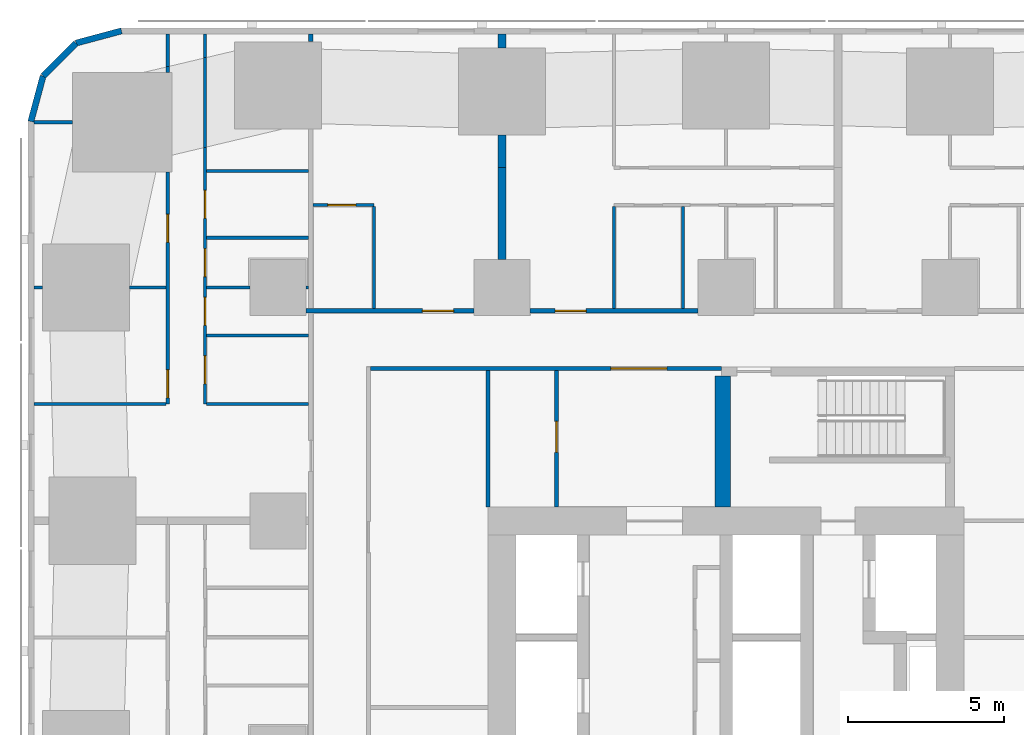
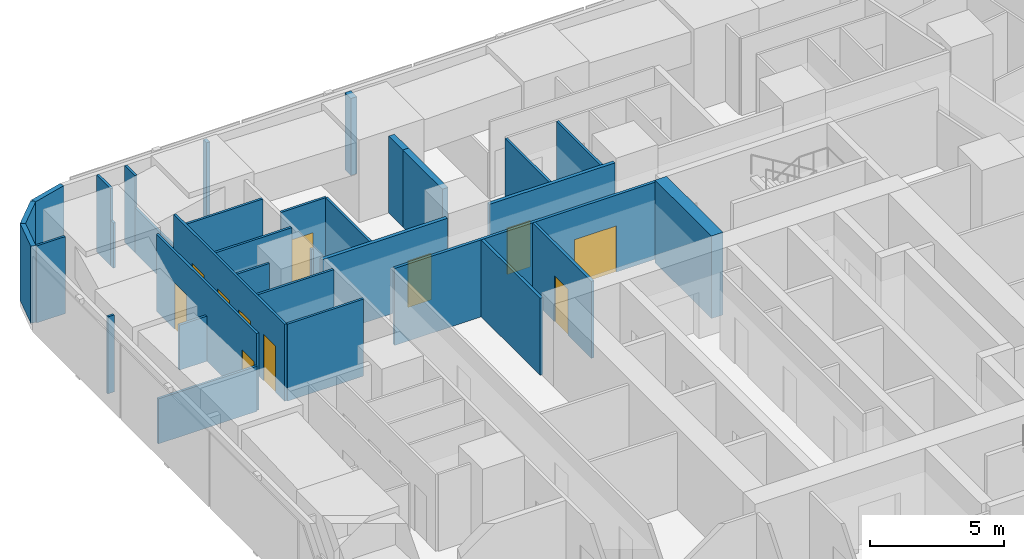
# One storey, part 11 of 18: 33 walls, 11 doors, 11 openings.
"""IFC4 building model written with IfcOpenShell, lengths in metres."""

import ifcopenshell
import ifcopenshell.guid

model = None  # the IFC model being written
_history = None  # IfcOwnerHistory: only IFC2X3 demands one
_inside = {}  # id of a spatial element -> (the spatial element, [elements in it])
_under = {}  # id of a project, library or spatial element -> (it, [spatial elements below it])
_declared = {}  # id of a project -> (the project, [libraries it declares])
_typed = {}  # id of a type object -> (the type object, [elements of that type])
_made_of = {}  # id of a material, layer set ... -> (it, [elements and type objects made of it])


def new_model(schema):
    """Start an empty IFC model of exactly this schema.

    Asked for "IFC4X3", IfcOpenShell would pick the latest addendum, in which some entities
    have other attributes; the version numbers below select the first issue.
    IFC2X3 requires an IfcOwnerHistory on every rooted entity: one is made here for all.
    """
    global model, _history
    if schema == "IFC4X3":
        model = ifcopenshell.file(schema_version=(4, 3, 0, 0))
    else:
        model = ifcopenshell.file(schema=schema)
    _inside.clear()
    _under.clear()
    _declared.clear()
    _typed.clear()
    _made_of.clear()
    _history = None
    if model.schema == "IFC2X3":
        org = make("IfcOrganization", Name="unknown")
        user = make(
            "IfcPersonAndOrganization",
            ThePerson=make("IfcPerson", FamilyName="unknown"),
            TheOrganization=org,
        )
        app = make(
            "IfcApplication",
            ApplicationDeveloper=org,
            Version="unknown",
            ApplicationFullName="unknown",
            ApplicationIdentifier="unknown",
        )
        _history = make(
            "IfcOwnerHistory",
            OwningUser=user,
            OwningApplication=app,
            ChangeAction="ADDED",
            CreationDate=0,
        )
    return model


def make(cls, **values):
    """One entity of the class cls with the attributes given. An attribute that is None is left unset."""
    return model.create_entity(
        cls, **{name: value for name, value in values.items() if value is not None}
    )


def rooted(cls, **values):
    """An entity with a GlobalId (a new one), such as an element, a storey or a relation."""
    return make(cls, GlobalId=ifcopenshell.guid.new(), OwnerHistory=_history, **values)


def si_unit(unit_type, name, prefix=None):
    """IfcSIUnit, for example si_unit("LENGTHUNIT", "METRE", prefix="MILLI")."""
    return make("IfcSIUnit", UnitType=unit_type, Prefix=prefix, Name=name)


def assignment(units):
    """IfcUnitAssignment: the units of a project."""
    return None if units is None else make("IfcUnitAssignment", Units=units)


def point(xyz):
    """IfcCartesianPoint."""
    return None if xyz is None else make("IfcCartesianPoint", Coordinates=xyz)


def direction(xyz):
    """IfcDirection."""
    return None if xyz is None else make("IfcDirection", DirectionRatios=xyz)


def frame(location, z_axis=None, x_axis=None):
    """IfcAxis2Placement3D, a coordinate frame: its origin and axes. An axis left out is left unset."""
    return make(
        "IfcAxis2Placement3D",
        Location=point(location),
        Axis=direction(z_axis),
        RefDirection=direction(x_axis),
    )


def frame_2d(location, x_axis=None):
    """IfcAxis2Placement2D, a coordinate frame in the plane: its origin and x axis."""
    return make(
        "IfcAxis2Placement2D", Location=point(location), RefDirection=direction(x_axis)
    )


def origin():
    """The frame at (0, 0, 0) with its axes left unset."""
    return frame((0.0, 0.0, 0.0))


def place(relative_to, where):
    """IfcLocalPlacement: puts the frame where relative to a parent placement (None: the world)."""
    return make(
        "IfcLocalPlacement", PlacementRelTo=relative_to, RelativePlacement=where
    )


def context(
    kind, dimensions, precision=None, world=None, true_north=None, identifier=None
):
    """IfcGeometricRepresentationContext, for example the 3D "Model" context."""
    return make(
        "IfcGeometricRepresentationContext",
        ContextIdentifier=identifier,
        ContextType=kind,
        CoordinateSpaceDimension=dimensions,
        Precision=precision,
        WorldCoordinateSystem=world,
        TrueNorth=true_north,
    )


def subcontext(parent, identifier, kind, view, scale=None):
    """IfcGeometricRepresentationSubContext, for example "Body" below "Model"."""
    return make(
        "IfcGeometricRepresentationSubContext",
        ContextIdentifier=identifier,
        ContextType=kind,
        ParentContext=parent,
        TargetScale=scale,
        TargetView=view,
    )


def project(units=None, contexts=None):
    """IfcProject with its units and contexts."""
    return rooted(
        "IfcProject",
        Name="project",
        RepresentationContexts=contexts,
        UnitsInContext=assignment(units),
    )


def spatial(cls, under=None, at=None, **own):
    """A site, building, storey or space (cls), placed at a placement, below another one or the project."""
    s = rooted(cls, ObjectPlacement=at, **own)
    if under is not None:
        _under.setdefault(under.id(), (under, []))[1].append(s)
    return s


def profile(cls, at=None, kind="AREA", **sizes):
    """A parametric profile (cls). Its sizes go by their IFC names, for example OverallWidth=200.0."""
    return make(cls, ProfileType=kind, Position=at, **sizes)


def rectangle(**sizes):
    """IfcRectangleProfileDef."""
    return profile("IfcRectangleProfileDef", **sizes)


def extrude(swept, where, along, depth):
    """IfcExtrudedAreaSolid: the profile swept, set in the frame where, extruded along a direction by depth."""
    return make(
        "IfcExtrudedAreaSolid",
        SweptArea=swept,
        Position=where,
        ExtrudedDirection=direction(along),
        Depth=depth,
    )


def shape(context_of_items, identifier, shape_type, items):
    """IfcShapeRepresentation: the items that make up one representation, for example the "Body"."""
    return make(
        "IfcShapeRepresentation",
        ContextOfItems=context_of_items,
        RepresentationIdentifier=identifier,
        RepresentationType=shape_type,
        Items=items,
    )


def material(Name=None, Category=None):
    """IfcMaterial."""
    return make("IfcMaterial", Name=Name, Category=Category)


def layer(
    of_material, thickness, ventilated=None, Name=None, Category=None, Priority=None
):
    """IfcMaterialLayer: one layer of a wall or slab, of a material (None: an air gap)."""
    return make(
        "IfcMaterialLayer",
        Material=of_material,
        LayerThickness=thickness,
        IsVentilated=ventilated,
        Name=Name,
        Category=Category,
        Priority=Priority,
    )


def layer_set(layers, Name=None):
    """IfcMaterialLayerSet."""
    return make("IfcMaterialLayerSet", MaterialLayers=layers, LayerSetName=Name)


def made_of(thing, what):
    """Note that an element or type object is made of a material, layer set ...; save() writes the relation."""
    if what is not None:
        _made_of.setdefault(what.id(), (what, []))[1].append(thing)
    return thing


def type_object(cls, material=None, **own):
    """A type object (cls), such as IfcWallType, which elements share."""
    return made_of(rooted(cls, **own), material)


def element(
    cls,
    number,
    at=None,
    inside=None,
    cuts=None,
    type_object=None,
    material=None,
    context=None,
    identifier="Body",
    shape_type=None,
    held_by="IfcProductDefinitionShape",
    body=None,
    shapes=None,
    **own,
):
    """One element of the class cls, such as IfcWall. Its Tag is "e" and its number.

    at: its placement. inside: the storey or other place that contains it. cuts: it is an
    opening in that element (IfcRelVoidsElement). A single representation is given by context,
    identifier, shape_type and body (its items); several are given by shapes. held_by: the class
    of the entity that holds the representations. save() writes the other relations.
    """
    e = rooted(cls, Tag="e%d" % number, ObjectPlacement=at, **own)
    if body is not None:
        shapes = [shape(context, identifier, shape_type, body)]
    if shapes is not None:
        e.Representation = make(held_by, Representations=shapes)
    if inside is not None:
        _inside.setdefault(inside.id(), (inside, []))[1].append(e)
    if cuts is not None:
        rooted(
            "IfcRelVoidsElement", RelatingBuildingElement=cuts, RelatedOpeningElement=e
        )
    if type_object is not None:
        _typed.setdefault(type_object.id(), (type_object, []))[1].append(e)
    return made_of(e, material)


def fill(opening, filler):
    """IfcRelFillsElement: the door or window that sits in an opening."""
    return rooted(
        "IfcRelFillsElement",
        RelatingOpeningElement=opening,
        RelatedBuildingElement=filler,
    )


def aggregate(whole, parts):
    """IfcRelAggregates: a whole, such as a stair, and the parts it consists of."""
    return rooted("IfcRelAggregates", RelatingObject=whole, RelatedObjects=parts)


def save(model, path):
    """Write the relations noted so far, then the file.

    IfcRelAggregates (storeys below a building ...), IfcRelContainedInSpatialStructure (elements
    in a storey), IfcRelDefinesByType, IfcRelAssociatesMaterial and IfcRelDeclares: one each for
    every whole, place, type object, material and project.
    """
    for whole, parts in _under.values():
        aggregate(whole, parts)
    for where, things in _inside.values():
        rooted(
            "IfcRelContainedInSpatialStructure",
            RelatedElements=things,
            RelatingStructure=where,
        )
    for kind, things in _typed.values():
        rooted("IfcRelDefinesByType", RelatedObjects=things, RelatingType=kind)
    for what, things in _made_of.values():
        rooted("IfcRelAssociatesMaterial", RelatedObjects=things, RelatingMaterial=what)
    for by, libraries in _declared.values():
        rooted("IfcRelDeclares", RelatingContext=by, RelatedDefinitions=libraries)
    model.write(path)


model = new_model("IFC4")

# Units and contexts
model_context = context("Model", 3, precision=1e-05, world=origin(), true_north=direction((0.0, 1.0)))
body_context = subcontext(model_context, "Body", "Model", "MODEL_VIEW")
ifc_project = project(units=[si_unit("LENGTHUNIT", "METRE"), si_unit("AREAUNIT", "SQUARE_METRE"), si_unit("VOLUMEUNIT", "CUBIC_METRE"), si_unit("PLANEANGLEUNIT", "RADIAN"), si_unit("MASSUNIT", "GRAM", prefix="KILO")], contexts=[model_context])

# Site, building, storey
site_placement = place(None, origin())
site = spatial("IfcSite", under=ifc_project, at=site_placement, CompositionType="ELEMENT")
building_placement = place(site_placement, origin())
building = spatial("IfcBuilding", under=site, at=building_placement, Name="Sheger Commons Tower", CompositionType="ELEMENT")
storey_placement = place(building_placement, frame((0.0, 0.0, 35.0)))
storey = spatial("IfcBuildingStorey", under=building, at=storey_placement, Name="L08", CompositionType="ELEMENT", Elevation=35.0)

# Wall
ifc_material_1 = material(Name="Hollow concrete block masonry, skimmed both sides", Category="masonry")
ifc_layer_1 = layer(ifc_material_1, 0.14990234375)
ifc_layer_set_1 = layer_set([ifc_layer_1], Name="CORRIDOR WALL 150")
wall_type_1 = type_object("IfcWallType", Name="CORRIDOR WALL 150", PredefinedType="SOLIDWALL", material=ifc_layer_set_1)
wall_1_placement = place(storey_placement, frame((8.25, 45.40087890625, 0.0), z_axis=(0.0, 0.0, 1.0), x_axis=(0.0, 1.0, 0.0)))
element("IfcWall", 1, at=wall_1_placement, inside=storey, type_object=wall_type_1, Name="Corridor wall L08", PredefinedType="SOLIDWALL", context=body_context, shape_type="SweptSolid", body=[
    extrude(rectangle(XDim=0.2490234375, YDim=0.14990234375, at=frame_2d((0.12451171875, 0.0))), origin(), (0.0, 0.0, 1.0), 3.5),
])

# Wall, opening, door
wall_2_placement = place(storey_placement, frame((8.10009765625, 36.75, 0.0), z_axis=(0.0, 0.0, 1.0), x_axis=(1.0, 0.0, 0.0)))
wall_2 = element("IfcWall", 2, at=wall_2_placement, inside=storey, type_object=wall_type_1, Name="Corridor wall L08", PredefinedType="SOLIDWALL", context=body_context, shape_type="SweptSolid", body=[
    extrude(rectangle(XDim=5.39892578125, YDim=0.14990234375, at=frame_2d((2.699462890625, 0.0))), origin(), (0.0, 0.0, 1.0), 3.5),
])
opening_1_placement = place(wall_2_placement, frame((3.739013671875, 0.0, 0.0)))
opening_1 = element("IfcOpeningElement", 3, at=opening_1_placement, cuts=wall_2, Name="Opening D1", PredefinedType="OPENING", context=body_context, shape_type="SweptSolid", body=[
    extrude(rectangle(XDim=1.0, YDim=2.10009765625, at=frame_2d((0.5, 1.050048828125))), frame((0.0, 0.0849609375, 0.0), z_axis=(0.0, -1.0, 0.0), x_axis=(1.0, 0.0, 0.0)), (0.0, 0.0, 1.0), 0.169921875),
])
ifc_material_2 = material(Name="Steel door set, fire rated", Category="steel")
door_type_1 = type_object("IfcDoorType", Name="FLAT ENTRANCE DOOR 1000x2100", OperationType="NOTDEFINED", PredefinedType="DOOR", material=ifc_material_2)
door_1_placement = place(opening_1_placement, origin())
door_1 = element("IfcDoor", 4, at=door_1_placement, inside=storey, type_object=door_type_1, Name="Flat entrance door", OperationType="SINGLE_SWING_RIGHT", OverallHeight=2.10009765625, OverallWidth=1.0, PredefinedType="DOOR", context=body_context, shape_type="SweptSolid", body=[
    extrude(rectangle(XDim=1.0, YDim=2.10009765625, at=frame_2d((0.5, 1.050048828125))), frame((0.0, 0.02490234375, 0.0), z_axis=(0.0, -1.0, 0.0), x_axis=(1.0, 0.0, 0.0)), (0.0, 0.0, 1.0), 0.050048828125),
])
fill(opening_1, door_1)

wall_3_placement = place(storey_placement, frame((15.301025390625, 36.75, 0.0), z_axis=(0.0, 0.0, 1.0), x_axis=(1.0, 0.0, 0.0)))
wall_3 = element("IfcWall", 5, at=wall_3_placement, inside=storey, type_object=wall_type_1, Name="Corridor wall L08", PredefinedType="SOLIDWALL", context=body_context, shape_type="SweptSolid", body=[
    extrude(rectangle(XDim=5.39794921875, YDim=0.14990234375, at=frame_2d((2.698974609375, 0.0))), origin(), (0.0, 0.0, 1.0), 3.5),
])
opening_2_placement = place(wall_3_placement, frame((0.799072265625, 0.0, 0.0)))
opening_2 = element("IfcOpeningElement", 6, at=opening_2_placement, cuts=wall_3, Name="Opening D1", PredefinedType="OPENING", context=body_context, shape_type="SweptSolid", body=[
    extrude(rectangle(XDim=1.0, YDim=2.10009765625, at=frame_2d((0.5, 1.050048828125))), frame((0.0, 0.0849609375, 0.0), z_axis=(0.0, -1.0, 0.0), x_axis=(1.0, 0.0, 0.0)), (0.0, 0.0, 1.0), 0.169921875),
])
door_2_placement = place(opening_2_placement, origin())
door_2 = element("IfcDoor", 7, at=door_2_placement, inside=storey, type_object=door_type_1, Name="Flat entrance door", OperationType="SINGLE_SWING_LEFT", OverallHeight=2.10009765625, OverallWidth=1.0, PredefinedType="DOOR", context=body_context, shape_type="SweptSolid", body=[
    extrude(rectangle(XDim=1.0, YDim=2.10009765625, at=frame_2d((0.5, 1.050048828125))), frame((0.0, 0.02490234375, 0.0), z_axis=(0.0, -1.0, 0.0), x_axis=(1.0, 0.0, 0.0)), (0.0, 0.0, 1.0), 0.050048828125),
])
fill(opening_2, door_2)

# Walls
ifc_material_3 = material(Name="Dense concrete block masonry, plastered both sides (separating wall between flats)", Category="masonry")
ifc_layer_2 = layer(ifc_material_3, 0.25)
ifc_layer_set_2 = layer_set([ifc_layer_2], Name="DEMISING WALL 250")
wall_type_2 = type_object("IfcWallType", Name="DEMISING WALL 250", PredefinedType="SOLIDWALL", material=ifc_layer_set_2)
wall_4_placement = place(storey_placement, frame((14.39990234375, 41.35009765625, 0.0), z_axis=(0.0, 0.0, 1.0), x_axis=(0.0, 1.0, 0.0)))
element("IfcWall", 8, at=wall_4_placement, inside=storey, type_object=wall_type_2, Name="Demising wall L08", PredefinedType="SOLIDWALL", context=body_context, shape_type="SweptSolid", body=[
    extrude(rectangle(XDim=1.048828125, YDim=0.25, at=frame_2d((0.5244140625, 0.0))), origin(), (0.0, 0.0, 1.0), 3.5),
])
wall_5_placement = place(storey_placement, frame((14.39990234375, 45.200927734375, 0.0), z_axis=(0.0, 0.0, 1.0), x_axis=(0.0, 1.0, 0.0)))
element("IfcWall", 9, at=wall_5_placement, inside=storey, type_object=wall_type_2, Name="Demising wall L08", PredefinedType="SOLIDWALL", context=body_context, shape_type="SweptSolid", body=[
    extrude(rectangle(XDim=0.448974609375, YDim=0.25, at=frame_2d((0.224609375, 0.0))), origin(), (0.0, 0.0, 1.0), 3.5),
])
wall_6_placement = place(storey_placement, frame((14.39990234375, 38.40087890625, 0.0), z_axis=(0.0, 0.0, 1.0), x_axis=(0.0, 1.0, 0.0)))
element("IfcWall", 10, at=wall_6_placement, inside=storey, type_object=wall_type_2, Name="Demising wall L08", PredefinedType="SOLIDWALL", context=body_context, shape_type="SweptSolid", body=[
    extrude(rectangle(XDim=2.94921875, YDim=0.25, at=frame_2d((1.474609375, 0.0))), origin(), (0.0, 0.0, 1.0), 3.5),
])
ifc_material_4 = material(Name="Rendered concrete block masonry, dark grey", Category="masonry")
ifc_layer_3 = layer(ifc_material_4, 0.199951171875)
ifc_layer_set_3 = layer_set([ifc_layer_3], Name="FACADE WALL 200")
wall_type_3 = type_object("IfcWallType", Name="FACADE WALL 200", PredefinedType="SOLIDWALL", material=ifc_layer_set_3)
wall_7_placement = place(storey_placement, frame((2.1630859375, 45.75, 0.0), z_axis=(0.0, 0.0, 1.0), x_axis=(-0.965832000415, -0.259168954497, 0.0)))
element("IfcWall", 11, at=wall_7_placement, inside=storey, type_object=wall_type_3, Name="Facade wall L08", PredefinedType="SOLIDWALL", context=body_context, shape_type="SweptSolid", body=[
    extrude(rectangle(XDim=1.512939453125, YDim=0.199951171875, at=frame_2d((0.75634765625, 0.0))), origin(), (0.0, 0.0, 1.0), 3.5),
])
wall_8_placement = place(storey_placement, frame((0.701904296875, 45.35791015625, 0.0), z_axis=(0.0, 0.0, 1.0), x_axis=(-0.707106781187, -0.707106781187, 0.0)))
element("IfcWall", 12, at=wall_8_placement, inside=storey, type_object=wall_type_3, Name="Facade wall L08", PredefinedType="SOLIDWALL", context=body_context, shape_type="SweptSolid", body=[
    extrude(rectangle(XDim=1.498779296875, YDim=0.199951171875, at=frame_2d((0.74951171875, 0.0))), origin(), (0.0, 0.0, 1.0), 3.5),
])
wall_9_placement = place(storey_placement, frame((-0.35791015625, 44.298095703125, 0.0), z_axis=(0.0, 0.0, 1.0), x_axis=(-0.259168954497, -0.965832000415, 0.0)))
element("IfcWall", 13, at=wall_9_placement, inside=storey, type_object=wall_type_3, Name="Facade wall L08", PredefinedType="SOLIDWALL", context=body_context, shape_type="SweptSolid", body=[
    extrude(rectangle(XDim=1.512939453125, YDim=0.199951171875, at=frame_2d((0.75634765625, 0.0))), origin(), (0.0, 0.0, 1.0), 3.5),
])

# Wall, openings, doors
ifc_material_5 = material(Name="Gypsum board on steel studs", Category="steel")
ifc_layer_4 = layer(ifc_material_5, 0.10009765625)
ifc_layer_set_4 = layer_set([ifc_layer_4], Name="PARTITION 100")
wall_type_4 = type_object("IfcWallType", Name="PARTITION 100", PredefinedType="PARTITIONING", material=ifc_layer_set_4)
wall_10_placement = place(storey_placement, frame((3.64990234375, 33.75, 0.0), z_axis=(0.0, 0.0, 1.0), x_axis=(0.0, 1.0, 0.0)))
wall_10 = element("IfcWall", 14, at=wall_10_placement, inside=storey, type_object=wall_type_4, Name="Partition L08", PredefinedType="PARTITIONING", context=body_context, shape_type="SweptSolid", body=[
    extrude(rectangle(XDim=7.462890625, YDim=0.10009765625, at=frame_2d((3.7314453125, 0.0))), origin(), (0.0, 0.0, 1.0), 3.5),
])
opening_3_placement = place(wall_10_placement, frame((0.199951171875, 0.0, 0.0)))
opening_3 = element("IfcOpeningElement", 15, at=opening_3_placement, cuts=wall_10, Name="Opening D2", PredefinedType="OPENING", context=body_context, shape_type="SweptSolid", body=[
    extrude(rectangle(XDim=0.89990234375, YDim=2.10009765625, at=frame_2d((0.449951171875, 1.050048828125))), frame((0.0, 0.06005859375, 0.0), z_axis=(0.0, -1.0, 0.0), x_axis=(1.0, 0.0, 0.0)), (0.0, 0.0, 1.0), 0.1201171875),
])
opening_4_placement = place(wall_10_placement, frame((5.199951171875, 0.0, 0.0)))
opening_4 = element("IfcOpeningElement", 16, at=opening_4_placement, cuts=wall_10, Name="Opening D2", PredefinedType="OPENING", context=body_context, shape_type="SweptSolid", body=[
    extrude(rectangle(XDim=0.89990234375, YDim=2.10009765625, at=frame_2d((0.449951171875, 1.050048828125))), frame((0.0, 0.06005859375, 0.0), z_axis=(0.0, -1.0, 0.0), x_axis=(1.0, 0.0, 0.0)), (0.0, 0.0, 1.0), 0.1201171875),
])
ifc_material_6 = material(Name="Timber door set", Category="wood")
door_type_2 = type_object("IfcDoorType", Name="INTERNAL DOOR 900x2100", OperationType="NOTDEFINED", PredefinedType="DOOR", material=ifc_material_6)
door_3_placement = place(opening_3_placement, origin())
door_3 = element("IfcDoor", 17, at=door_3_placement, inside=storey, type_object=door_type_2, Name="Main bedroom door", OperationType="SINGLE_SWING_LEFT", OverallHeight=2.10009765625, OverallWidth=0.89990234375, PredefinedType="DOOR", context=body_context, shape_type="SweptSolid", body=[
    extrude(rectangle(XDim=0.89990234375, YDim=2.10009765625, at=frame_2d((0.449951171875, 1.050048828125))), frame((0.0, 0.02490234375, 0.0), z_axis=(0.0, -1.0, 0.0), x_axis=(1.0, 0.0, 0.0)), (0.0, 0.0, 1.0), 0.050048828125),
])
fill(opening_3, door_3)
door_4_placement = place(opening_4_placement, origin())
door_4 = element("IfcDoor", 18, at=door_4_placement, inside=storey, type_object=door_type_2, Name="Bedroom 2 door", OperationType="SINGLE_SWING_RIGHT", OverallHeight=2.10009765625, OverallWidth=0.89990234375, PredefinedType="DOOR", context=body_context, shape_type="SweptSolid", body=[
    extrude(rectangle(XDim=0.89990234375, YDim=2.10009765625, at=frame_2d((0.449951171875, 1.050048828125))), frame((0.0, 0.02490234375, 0.0), z_axis=(0.0, -1.0, 0.0), x_axis=(1.0, 0.0, 0.0)), (0.0, 0.0, 1.0), 0.050048828125),
])
fill(opening_4, door_4)

# Walls
wall_11_placement = place(storey_placement, frame((3.64990234375, 44.4150390625, 0.0), z_axis=(0.0, 0.0, 1.0), x_axis=(0.0, 1.0, 0.0)))
element("IfcWall", 19, at=wall_11_placement, inside=storey, type_object=wall_type_4, Name="Partition L08", PredefinedType="PARTITIONING", context=body_context, shape_type="SweptSolid", body=[
    extrude(rectangle(XDim=0.196044921875, YDim=0.10009765625, at=frame_2d((0.09814453125, 0.0))), origin(), (0.0, 0.0, 1.0), 2.050048828125),
])
wall_12_placement = place(storey_placement, frame((3.64990234375, 44.611083984375, 0.0), z_axis=(0.0, 0.0, 1.0), x_axis=(0.0, 1.0, 0.0)))
element("IfcWall", 20, at=wall_12_placement, inside=storey, type_object=wall_type_4, Name="Partition L08", PredefinedType="PARTITIONING", context=body_context, shape_type="SweptSolid", body=[
    extrude(rectangle(XDim=1.038818359375, YDim=0.10009765625, at=frame_2d((0.51953125, 0.0))), origin(), (0.0, 0.0, 1.0), 3.5),
])

# Wall, openings, doors
wall_13_placement = place(storey_placement, frame((4.85009765625, 33.75, 0.0), z_axis=(0.0, 0.0, 1.0), x_axis=(0.0, 1.0, 0.0)))
wall_13 = element("IfcWall", 21, at=wall_13_placement, inside=storey, type_object=wall_type_4, Name="Partition L08", PredefinedType="PARTITIONING", context=body_context, shape_type="SweptSolid", body=[
    extrude(rectangle(XDim=8.243896484375, YDim=0.10009765625, at=frame_2d((4.1220703125, 0.0))), origin(), (0.0, 0.0, 1.0), 3.5),
])
opening_5_placement = place(wall_13_placement, frame((0.655029296875, 0.0, 0.0)))
opening_5 = element("IfcOpeningElement", 22, at=opening_5_placement, cuts=wall_13, Name="Opening D2", PredefinedType="OPENING", context=body_context, shape_type="SweptSolid", body=[
    extrude(rectangle(XDim=0.89990234375, YDim=2.10009765625, at=frame_2d((0.449951171875, 1.050048828125))), frame((0.0, 0.06005859375, 0.0), z_axis=(0.0, -1.0, 0.0), x_axis=(1.0, 0.0, 0.0)), (0.0, 0.0, 1.0), 0.1201171875),
])
opening_6_placement = place(wall_13_placement, frame((4.10009765625, 0.0, 0.0)))
opening_6 = element("IfcOpeningElement", 23, at=opening_6_placement, cuts=wall_13, Name="Opening D2", PredefinedType="OPENING", context=body_context, shape_type="SweptSolid", body=[
    extrude(rectangle(XDim=0.89990234375, YDim=2.10009765625, at=frame_2d((0.449951171875, 1.050048828125))), frame((0.0, 0.06005859375, 0.0), z_axis=(0.0, -1.0, 0.0), x_axis=(1.0, 0.0, 0.0)), (0.0, 0.0, 1.0), 0.1201171875),
])
opening_7_placement = place(wall_13_placement, frame((2.530029296875, 0.0, 0.0)))
opening_7 = element("IfcOpeningElement", 24, at=opening_7_placement, cuts=wall_13, Name="Opening D2", PredefinedType="OPENING", context=body_context, shape_type="SweptSolid", body=[
    extrude(rectangle(XDim=0.89990234375, YDim=2.10009765625, at=frame_2d((0.449951171875, 1.050048828125))), frame((0.0, 0.06005859375, 0.0), z_axis=(0.0, -1.0, 0.0), x_axis=(1.0, 0.0, 0.0)), (0.0, 0.0, 1.0), 0.1201171875),
])
opening_8_placement = place(wall_13_placement, frame((5.97509765625, 0.0, 0.0)))
opening_8 = element("IfcOpeningElement", 25, at=opening_8_placement, cuts=wall_13, Name="Opening D2", PredefinedType="OPENING", context=body_context, shape_type="SweptSolid", body=[
    extrude(rectangle(XDim=0.89990234375, YDim=2.10009765625, at=frame_2d((0.449951171875, 1.050048828125))), frame((0.0, 0.06005859375, 0.0), z_axis=(0.0, -1.0, 0.0), x_axis=(1.0, 0.0, 0.0)), (0.0, 0.0, 1.0), 0.1201171875),
])
door_5_placement = place(opening_5_placement, origin())
door_5 = element("IfcDoor", 26, at=door_5_placement, inside=storey, type_object=door_type_2, Name="Bathroom door", OperationType="SINGLE_SWING_RIGHT", OverallHeight=2.10009765625, OverallWidth=0.89990234375, PredefinedType="DOOR", context=body_context, shape_type="SweptSolid", body=[
    extrude(rectangle(XDim=0.89990234375, YDim=2.10009765625, at=frame_2d((0.449951171875, 1.050048828125))), frame((0.0, 0.02490234375, 0.0), z_axis=(0.0, -1.0, 0.0), x_axis=(1.0, 0.0, 0.0)), (0.0, 0.0, 1.0), 0.050048828125),
])
fill(opening_5, door_5)
door_6_placement = place(opening_6_placement, origin())
door_6 = element("IfcDoor", 27, at=door_6_placement, inside=storey, type_object=door_type_2, Name="Shower room door", OperationType="SINGLE_SWING_LEFT", OverallHeight=2.10009765625, OverallWidth=0.89990234375, PredefinedType="DOOR", context=body_context, shape_type="SweptSolid", body=[
    extrude(rectangle(XDim=0.89990234375, YDim=2.10009765625, at=frame_2d((0.449951171875, 1.050048828125))), frame((0.0, 0.02490234375, 0.0), z_axis=(0.0, -1.0, 0.0), x_axis=(1.0, 0.0, 0.0)), (0.0, 0.0, 1.0), 0.050048828125),
])
fill(opening_6, door_6)
door_7_placement = place(opening_7_placement, origin())
door_7 = element("IfcDoor", 28, at=door_7_placement, inside=storey, type_object=door_type_2, Name="Store door", OperationType="SINGLE_SWING_LEFT", OverallHeight=2.10009765625, OverallWidth=0.89990234375, PredefinedType="DOOR", context=body_context, shape_type="SweptSolid", body=[
    extrude(rectangle(XDim=0.89990234375, YDim=2.10009765625, at=frame_2d((0.449951171875, 1.050048828125))), frame((0.0, 0.02490234375, 0.0), z_axis=(0.0, -1.0, 0.0), x_axis=(1.0, 0.0, 0.0)), (0.0, 0.0, 1.0), 0.050048828125),
])
fill(opening_7, door_7)
door_8_placement = place(opening_8_placement, origin())
door_8 = element("IfcDoor", 29, at=door_8_placement, inside=storey, type_object=door_type_2, Name="Store door", OperationType="SINGLE_SWING_RIGHT", OverallHeight=2.10009765625, OverallWidth=0.89990234375, PredefinedType="DOOR", context=body_context, shape_type="SweptSolid", body=[
    extrude(rectangle(XDim=0.89990234375, YDim=2.10009765625, at=frame_2d((0.449951171875, 1.050048828125))), frame((0.0, 0.02490234375, 0.0), z_axis=(0.0, -1.0, 0.0), x_axis=(1.0, 0.0, 0.0)), (0.0, 0.0, 1.0), 0.050048828125),
])
fill(opening_8, door_8)

# Walls
wall_14_placement = place(storey_placement, frame((4.85009765625, 41.993896484375, 0.0), z_axis=(0.0, 0.0, 1.0), x_axis=(0.0, 1.0, 0.0)))
element("IfcWall", 30, at=wall_14_placement, inside=storey, type_object=wall_type_4, Name="Partition L08", PredefinedType="PARTITIONING", context=body_context, shape_type="SweptSolid", body=[
    extrude(rectangle(XDim=2.901123046875, YDim=0.10009765625, at=frame_2d((1.45068359375, 0.0))), origin(), (0.0, 0.0, 1.0), 2.050048828125),
])
wall_15_placement = place(storey_placement, frame((4.85009765625, 44.89501953125, 0.0), z_axis=(0.0, 0.0, 1.0), x_axis=(0.0, 1.0, 0.0)))
element("IfcWall", 31, at=wall_15_placement, inside=storey, type_object=wall_type_4, Name="Partition L08", PredefinedType="PARTITIONING", context=body_context, shape_type="SweptSolid", body=[
    extrude(rectangle(XDim=0.7548828125, YDim=0.10009765625, at=frame_2d((0.37744140625, 0.0))), origin(), (0.0, 0.0, 1.0), 3.5),
])
wall_16_placement = place(storey_placement, frame((-0.64990234375, 33.75, 0.0), z_axis=(0.0, 0.0, 1.0), x_axis=(1.0, 0.0, 0.0)))
element("IfcWall", 32, at=wall_16_placement, inside=storey, type_object=wall_type_4, Name="Partition L08", PredefinedType="PARTITIONING", context=body_context, shape_type="SweptSolid", body=[
    extrude(rectangle(XDim=4.25, YDim=0.10009765625, at=frame_2d((2.125, 0.0))), origin(), (0.0, 0.0, 1.0), 2.050048828125),
])
wall_17_placement = place(storey_placement, frame((-0.64990234375, 37.5, 0.0), z_axis=(0.0, 0.0, 1.0), x_axis=(1.0, 0.0, 0.0)))
element("IfcWall", 33, at=wall_17_placement, inside=storey, type_object=wall_type_4, Name="Partition L08", PredefinedType="PARTITIONING", context=body_context, shape_type="SweptSolid", body=[
    extrude(rectangle(XDim=0.27392578125, YDim=0.10009765625, at=frame_2d((0.136962890625, 0.0))), origin(), (0.0, 0.0, 1.0), 3.5),
])
wall_18_placement = place(storey_placement, frame((2.426025390625, 37.5, 0.0), z_axis=(0.0, 0.0, 1.0), x_axis=(1.0, 0.0, 0.0)))
element("IfcWall", 34, at=wall_18_placement, inside=storey, type_object=wall_type_4, Name="Partition L08", PredefinedType="PARTITIONING", context=body_context, shape_type="SweptSolid", body=[
    extrude(rectangle(XDim=1.174072265625, YDim=0.10009765625, at=frame_2d((0.5869140625, 0.0))), origin(), (0.0, 0.0, 1.0), 2.050048828125),
])
wall_19_placement = place(storey_placement, frame((-0.64990234375, 42.81396484375, 0.0), z_axis=(0.0, 0.0, 1.0), x_axis=(1.0, 0.0, 0.0)))
element("IfcWall", 35, at=wall_19_placement, inside=storey, type_object=wall_type_4, Name="Partition L08", PredefinedType="PARTITIONING", context=body_context, shape_type="SweptSolid", body=[
    extrude(rectangle(XDim=1.23486328125, YDim=0.10009765625, at=frame_2d((0.617431640625, 0.0))), origin(), (0.0, 0.0, 1.0), 3.5),
])
wall_20_placement = place(storey_placement, frame((4.89990234375, 33.75, 0.0), z_axis=(0.0, 0.0, 1.0), x_axis=(1.0, 0.0, 0.0)))
element("IfcWall", 36, at=wall_20_placement, inside=storey, type_object=wall_type_4, Name="Partition L08", PredefinedType="PARTITIONING", context=body_context, shape_type="SweptSolid", body=[
    extrude(rectangle(XDim=3.275146484375, YDim=0.10009765625, at=frame_2d((1.6376953125, 0.0))), origin(), (0.0, 0.0, 1.0), 3.5),
])
wall_21_placement = place(storey_placement, frame((4.89990234375, 37.5, 0.0), z_axis=(0.0, 0.0, 1.0), x_axis=(1.0, 0.0, 0.0)))
element("IfcWall", 37, at=wall_21_placement, inside=storey, type_object=wall_type_4, Name="Partition L08", PredefinedType="PARTITIONING", context=body_context, shape_type="SweptSolid", body=[
    extrude(rectangle(XDim=1.399169921875, YDim=0.10009765625, at=frame_2d((0.69970703125, 0.0))), origin(), (0.0, 0.0, 1.0), 3.5),
])
wall_22_placement = place(storey_placement, frame((8.10107421875, 37.5, 0.0), z_axis=(0.0, 0.0, 1.0), x_axis=(1.0, 0.0, 0.0)))
element("IfcWall", 38, at=wall_22_placement, inside=storey, type_object=wall_type_4, Name="Partition L08", PredefinedType="PARTITIONING", context=body_context, shape_type="SweptSolid", body=[
    extrude(rectangle(XDim=0.073974609375, YDim=0.10009765625, at=frame_2d((0.037109375, 0.0))), origin(), (0.0, 0.0, 1.0), 3.5),
])
for number, where, z_axis, x_axis, name in (
    (39, (4.89990234375, 41.25, 0.0), (0.0, 0.0, 1.0), (1.0, 0.0, 0.0), "Partition L08"),
    (40, (4.89990234375, 35.9599609375, 0.0), (0.0, 0.0, 1.0), (1.0, 0.0, 0.0), "Partition L08"),
    (41, (4.89990234375, 39.10009765625, 0.0), (0.0, 0.0, 1.0), (1.0, 0.0, 0.0), "Partition L08"),
):
    element("IfcWall", number, at=place(storey_placement, frame(where, z_axis=z_axis, x_axis=x_axis)), inside=storey, type_object=wall_type_4, Name=name, PredefinedType="PARTITIONING", context=body_context, shape_type="SweptSolid", body=[
        extrude(rectangle(XDim=3.275146484375, YDim=0.10009765625, at=frame_2d((1.6376953125, 0.0))), origin(), (0.0, 0.0, 1.0), 3.5),
    ])

# Wall, opening, door
wall_23_placement = place(storey_placement, frame((8.324951171875, 40.14990234375, 0.0), z_axis=(0.0, 0.0, 1.0), x_axis=(1.0, 0.0, 0.0)))
wall_23 = element("IfcWall", 42, at=wall_23_placement, inside=storey, type_object=wall_type_4, Name="Partition L08", PredefinedType="PARTITIONING", context=body_context, shape_type="SweptSolid", body=[
    extrude(rectangle(XDim=1.9541015625, YDim=0.10009765625, at=frame_2d((0.97705078125, 0.0))), origin(), (0.0, 0.0, 1.0), 3.5),
])
opening_9_placement = place(wall_23_placement, frame((0.47509765625, 0.0, 0.0)))
opening_9 = element("IfcOpeningElement", 43, at=opening_9_placement, cuts=wall_23, Name="Opening D2", PredefinedType="OPENING", context=body_context, shape_type="SweptSolid", body=[
    extrude(rectangle(XDim=0.89990234375, YDim=2.10009765625, at=frame_2d((0.449951171875, 1.050048828125))), frame((0.0, 0.06005859375, 0.0), z_axis=(0.0, -1.0, 0.0), x_axis=(1.0, 0.0, 0.0)), (0.0, 0.0, 1.0), 0.1201171875),
])
door_9_placement = place(opening_9_placement, origin())
door_9 = element("IfcDoor", 44, at=door_9_placement, inside=storey, type_object=door_type_2, Name="Shower room door", OperationType="SINGLE_SWING_RIGHT", OverallHeight=2.10009765625, OverallWidth=0.89990234375, PredefinedType="DOOR", context=body_context, shape_type="SweptSolid", body=[
    extrude(rectangle(XDim=0.89990234375, YDim=2.10009765625, at=frame_2d((0.449951171875, 1.050048828125))), frame((0.0, 0.02490234375, 0.0), z_axis=(0.0, -1.0, 0.0), x_axis=(1.0, 0.0, 0.0)), (0.0, 0.0, 1.0), 0.050048828125),
])
fill(opening_9, door_9)

# Walls
for number, where, z_axis, x_axis, name in (
    (45, (10.279052734375, 36.824951171875, 0.0), (0.0, 0.0, 1.0), (0.0, 1.0, 0.0), "Partition L08"),
    (46, (18.0, 36.824951171875, 0.0), (0.0, 0.0, 1.0), (0.0, 1.0, 0.0), "Partition L08"),
    (47, (20.2099609375, 36.824951171875, 0.0), (0.0, 0.0, 1.0), (0.0, 1.0, 0.0), "Partition L08"),
):
    element("IfcWall", number, at=place(storey_placement, frame(where, z_axis=z_axis, x_axis=x_axis)), inside=storey, type_object=wall_type_4, Name=name, PredefinedType="PARTITIONING", context=body_context, shape_type="SweptSolid", body=[
        extrude(rectangle(XDim=3.275146484375, YDim=0.10009765625, at=frame_2d((1.6376953125, 0.0))), origin(), (0.0, 0.0, 1.0), 3.5),
    ])
ifc_material_7 = material(Name="Gypsum board on steel studs, two layers each side, fire rated", Category="steel")
ifc_layer_5 = layer(ifc_material_7, 0.125)
ifc_layer_set_5 = layer_set([ifc_layer_5], Name="SERVICE WALL 125")
wall_type_5 = type_object("IfcWallType", Name="SERVICE WALL 125", PredefinedType="PARTITIONING", material=ifc_layer_set_5)
wall_24_placement = place(storey_placement, frame((13.949951171875, 30.449951171875, 0.0), z_axis=(0.0, 0.0, 1.0), x_axis=(0.0, 1.0, 0.0)))
element("IfcWall", 48, at=wall_24_placement, inside=storey, type_object=wall_type_5, Name="Service room wall L08", PredefinedType="PARTITIONING", context=body_context, shape_type="SweptSolid", body=[
    extrude(rectangle(XDim=4.386962890625, YDim=0.125, at=frame_2d((2.193359375, 0.0))), origin(), (0.0, 0.0, 1.0), 3.5),
])

# Wall, opening, door
wall_25_placement = place(storey_placement, frame((10.1630859375, 34.89990234375, 0.0), z_axis=(0.0, 0.0, 1.0), x_axis=(1.0, 0.0, 0.0)))
wall_25 = element("IfcWall", 49, at=wall_25_placement, inside=storey, type_object=wall_type_5, Name="Service room wall L08", PredefinedType="PARTITIONING", context=body_context, shape_type="SweptSolid", body=[
    extrude(rectangle(XDim=11.286865234375, YDim=0.125, at=frame_2d((5.6435546875, 0.0))), origin(), (0.0, 0.0, 1.0), 3.5),
])
opening_10_placement = place(wall_25_placement, frame((7.737060546875, 0.0, 0.0)))
opening_10 = element("IfcOpeningElement", 50, at=opening_10_placement, cuts=wall_25, Name="Opening D6", PredefinedType="OPENING", context=body_context, shape_type="SweptSolid", body=[
    extrude(rectangle(XDim=1.800048828125, YDim=2.10009765625, at=frame_2d((0.89990234375, 1.050048828125))), frame((0.0, 0.072509765625, 0.0), z_axis=(0.0, -1.0, 0.0), x_axis=(1.0, 0.0, 0.0)), (0.0, 0.0, 1.0), 0.14501953125),
])
ifc_material_8 = material(Name="Steel door set, fire rated", Category="steel")
door_type_3 = type_object("IfcDoorType", Name="LOBBY DOUBLE DOOR 1800x2100", OperationType="DOUBLE_DOOR_SINGLE_SWING", PredefinedType="DOOR", material=ifc_material_8)
door_10_placement = place(opening_10_placement, origin())
door_10 = element("IfcDoor", 51, at=door_10_placement, inside=storey, type_object=door_type_3, Name="Lift lobby north door", OperationType="DOUBLE_DOOR_SINGLE_SWING", OverallHeight=2.10009765625, OverallWidth=1.800048828125, PredefinedType="DOOR", context=body_context, shape_type="SweptSolid", body=[
    extrude(rectangle(XDim=1.800048828125, YDim=2.10009765625, at=frame_2d((0.89990234375, 1.050048828125))), frame((0.0, 0.02490234375, 0.0), z_axis=(0.0, -1.0, 0.0), x_axis=(1.0, 0.0, 0.0)), (0.0, 0.0, 1.0), 0.050048828125),
])
fill(opening_10, door_10)

wall_26_placement = place(storey_placement, frame((16.14990234375, 30.449951171875, 0.0), z_axis=(0.0, 0.0, 1.0), x_axis=(0.0, 1.0, 0.0)))
wall_26 = element("IfcWall", 52, at=wall_26_placement, inside=storey, type_object=wall_type_5, Name="Service room wall L08", PredefinedType="PARTITIONING", context=body_context, shape_type="SweptSolid", body=[
    extrude(rectangle(XDim=4.386962890625, YDim=0.125, at=frame_2d((2.193359375, 0.0))), origin(), (0.0, 0.0, 1.0), 3.5),
])
opening_11_placement = place(wall_26_placement, frame((1.75, 0.0, 0.0)))
opening_11 = element("IfcOpeningElement", 53, at=opening_11_placement, cuts=wall_26, Name="Opening D4", PredefinedType="OPENING", context=body_context, shape_type="SweptSolid", body=[
    extrude(rectangle(XDim=1.0, YDim=2.10009765625, at=frame_2d((0.5, 1.050048828125))), frame((0.0, 0.072509765625, 0.0), z_axis=(0.0, -1.0, 0.0), x_axis=(1.0, 0.0, 0.0)), (0.0, 0.0, 1.0), 0.14501953125),
])
ifc_material_9 = material(Name="Steel door set, fire rated", Category="steel")
door_type_4 = type_object("IfcDoorType", Name="SERVICE DOOR 1000x2100", OperationType="NOTDEFINED", PredefinedType="DOOR", material=ifc_material_9)
door_11_placement = place(opening_11_placement, origin())
door_11 = element("IfcDoor", 54, at=door_11_placement, inside=storey, type_object=door_type_4, Name="Telecom room door", OperationType="SINGLE_SWING_RIGHT", OverallHeight=2.10009765625, OverallWidth=1.0, PredefinedType="DOOR", context=body_context, shape_type="SweptSolid", body=[
    extrude(rectangle(XDim=1.0, YDim=2.10009765625, at=frame_2d((0.5, 1.050048828125))), frame((0.0, 0.02490234375, 0.0), z_axis=(0.0, -1.0, 0.0), x_axis=(1.0, 0.0, 0.0)), (0.0, 0.0, 1.0), 0.050048828125),
])
fill(opening_11, door_11)

# Wall
ifc_material_10 = material(Name="Concrete C50/60", Category="concrete")
ifc_layer_6 = layer(ifc_material_10, 0.5)
ifc_layer_set_6 = layer_set([ifc_layer_6], Name="STAIR CORE WALL 500")
wall_type_6 = type_object("IfcWallType", Name="STAIR CORE WALL 500", PredefinedType="SHEAR", material=ifc_layer_set_6)
wall_27_placement = place(storey_placement, frame((21.5, 30.449951171875, 0.0), z_axis=(0.0, 0.0, 1.0), x_axis=(0.0, 1.0, 0.0)))
element("IfcWall", 55, at=wall_27_placement, inside=storey, type_object=wall_type_6, Name="STW-L08-S2W", PredefinedType="SHEAR", context=body_context, shape_type="SweptSolid", body=[
    extrude(rectangle(XDim=4.199951171875, YDim=0.5, at=frame_2d((2.10009765625, 0.0))), origin(), (0.0, 0.0, 1.0), 3.75),
])

save(model, "model.ifc")
